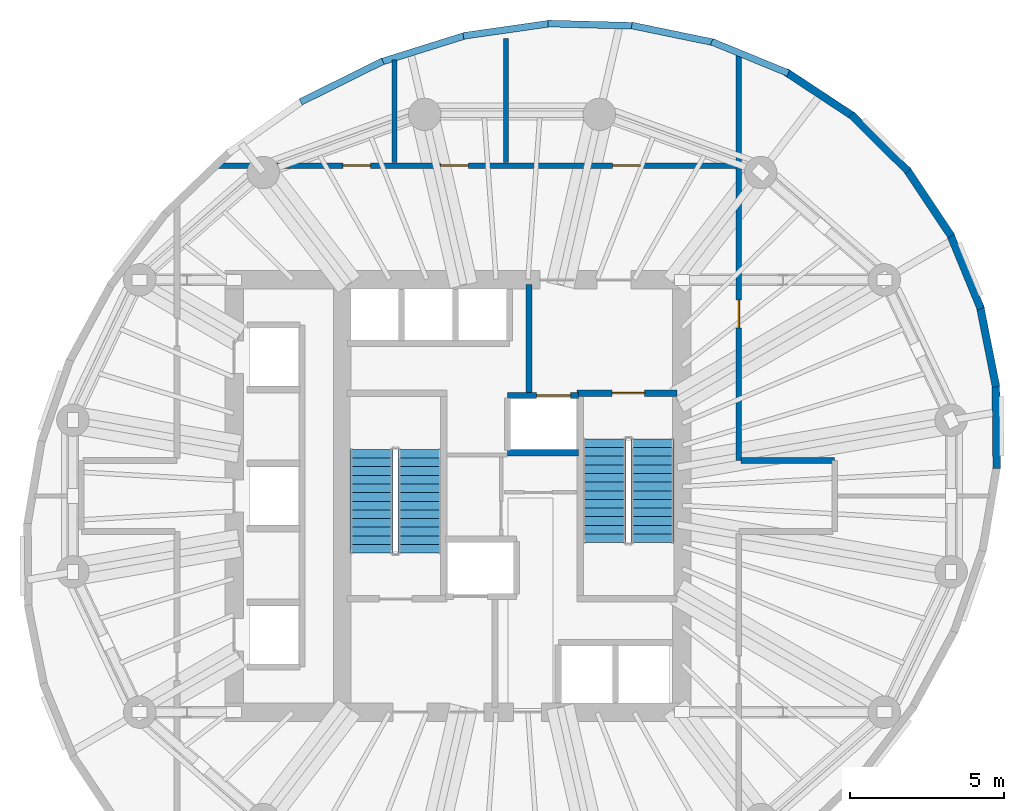
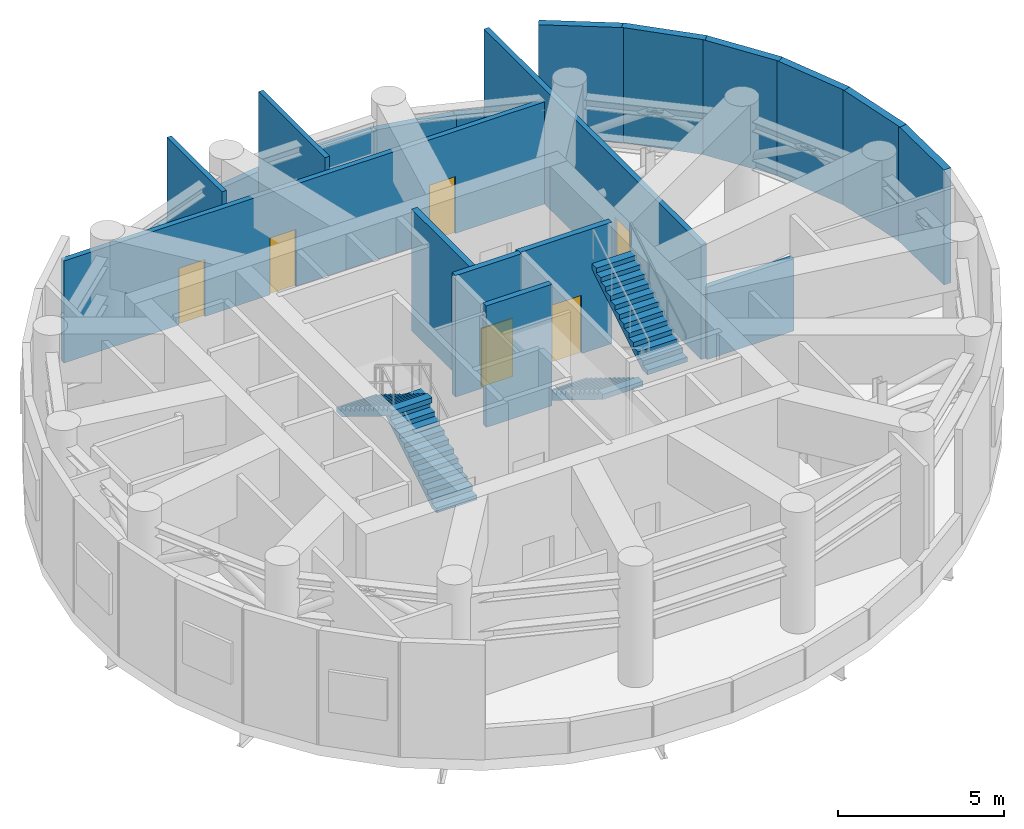
# One storey, part 6 of 8: 21 walls, 6 doors, 4 stair flights, 6 openings, 2 elements without a shape of their own.
"""IFC4 building model written with IfcOpenShell, lengths in metres."""

from ifc_helpers import new_model, si_unit, direction, frame, frame_2d, origin, place, context, subcontext, project, spatial, polyline, rectangle, outline, extrude, material, layer, layer_set, type_object, element, fill, aggregate, save


model = new_model("IFC4")

# Units and contexts
model_context = context("Model", 3, precision=1e-05, world=origin(), true_north=direction((0.0, 1.0)))
body_context = subcontext(model_context, "Body", "Model", "MODEL_VIEW")
ifc_project = project(units=[si_unit("LENGTHUNIT", "METRE"), si_unit("AREAUNIT", "SQUARE_METRE"), si_unit("VOLUMEUNIT", "CUBIC_METRE"), si_unit("PLANEANGLEUNIT", "RADIAN"), si_unit("MASSUNIT", "GRAM", prefix="KILO")], contexts=[model_context])

# Site, building, storey
site_placement = place(None, origin())
site = spatial("IfcSite", under=ifc_project, at=site_placement, CompositionType="ELEMENT")
building_placement = place(site_placement, origin())
building = spatial("IfcBuilding", under=site, at=building_placement, Name="Veldorim Arch Residences", CompositionType="ELEMENT")
storey_placement = place(building_placement, frame((0.0, 0.0, 158.56005859375)))
storey = spatial("IfcBuildingStorey", under=building, at=storey_placement, Name="L47", CompositionType="ELEMENT", Elevation=158.56005859375)

# Wall, openings, doors
ifc_material_1 = material(Name="Lightweight Masonry Block & Gypsum", Category="masonry")
ifc_layer_1 = layer(ifc_material_1, 0.179931640625, Name="Compartment & Corridor Fire-Rated Party Wall 180")
ifc_layer_set_1 = layer_set([ifc_layer_1], Name="Lightweight Masonry Block & Gypsum")
wall_type_1 = type_object("IfcWallType", Name="Compartment & Corridor Fire-Rated Party Wall 180", PredefinedType="PARTITIONING", material=ifc_layer_set_1)
wall_1_placement = place(storey_placement, frame((22.49951171875, 34.699951171875, 0.0), z_axis=(0.0, 0.0, 1.0), x_axis=(1.0, 0.0, 0.0)))
wall_1 = element("IfcWall", 1, at=wall_1_placement, inside=storey, type_object=wall_type_1, Name="L47 interior wall WL-PLT-L47-002", PredefinedType="PARTITIONING", context=body_context, shape_type="SweptSolid", body=[
    extrude(rectangle(XDim=16.8505859375, YDim=0.179931640625, at=frame_2d((8.42529296875, 0.0))), origin(), (0.0, 0.0, 1.0), 3.767822265625),
])
opening_1_placement = place(wall_1_placement, frame((12.75537109375, 0.0, 0.0)))
opening_1 = element("IfcOpeningElement", 2, at=opening_1_placement, cuts=wall_1, Name="Opening DR-INT", PredefinedType="OPENING", context=body_context, shape_type="SweptSolid", body=[
    extrude(rectangle(XDim=0.89990234375, YDim=2.10009765625, at=frame_2d((0.449951171875, 1.050048828125))), frame((0.0, 0.099853515625, 0.0), z_axis=(0.0, -1.0, 0.0), x_axis=(1.0, 0.0, 0.0)), (0.0, 0.0, 1.0), 0.199951171875),
])
opening_2_placement = place(wall_1_placement, frame((7.1904296875, 0.0, 0.0)))
opening_2 = element("IfcOpeningElement", 3, at=opening_2_placement, cuts=wall_1, Name="Opening DR-WC", PredefinedType="OPENING", context=body_context, shape_type="SweptSolid", body=[
    extrude(rectangle(XDim=0.89990234375, YDim=2.10009765625, at=frame_2d((0.449951171875, 1.050048828125))), frame((0.0, 0.099853515625, 0.0), z_axis=(0.0, -1.0, 0.0), x_axis=(1.0, 0.0, 0.0)), (0.0, 0.0, 1.0), 0.199951171875),
])
opening_3_placement = place(wall_1_placement, frame((4.020263671875, 0.0, 0.0)))
opening_3 = element("IfcOpeningElement", 4, at=opening_3_placement, cuts=wall_1, Name="Opening DR-SVC", PredefinedType="OPENING", context=body_context, shape_type="SweptSolid", body=[
    extrude(rectangle(XDim=0.89990234375, YDim=2.10009765625, at=frame_2d((0.449951171875, 1.050048828125))), frame((0.0, 0.099853515625, 0.0), z_axis=(0.0, -1.0, 0.0), x_axis=(1.0, 0.0, 0.0)), (0.0, 0.0, 1.0), 0.199951171875),
])
ifc_material_2 = material(Name="Engineered Timber", Category="wood")
door_type_1 = type_object("IfcDoorType", Name="Apartment Internal Room Timber Door 900x2100", OperationType="SINGLE_SWING_LEFT", PredefinedType="DOOR", material=ifc_material_2)
door_1_placement = place(opening_1_placement, origin())
door_1 = element("IfcDoor", 5, at=door_1_placement, inside=storey, type_object=door_type_1, Name="L47 interior door DR-PLT-L47-002", OperationType="SINGLE_SWING_RIGHT", OverallHeight=2.10009765625, OverallWidth=0.89990234375, PredefinedType="DOOR", context=body_context, shape_type="SweptSolid", body=[
    extrude(rectangle(XDim=0.89990234375, YDim=2.10009765625, at=frame_2d((0.449951171875, 1.050048828125))), frame((0.0, 0.02490234375, 0.0), z_axis=(0.0, -1.0, 0.0), x_axis=(1.0, 0.0, 0.0)), (0.0, 0.0, 1.0), 0.050048828125),
])
fill(opening_1, door_1)
ifc_material_3 = material(Name="Laminate Timber", Category="wood")
door_type_2 = type_object("IfcDoorType", Name="Bathroom & Accessible WC Moisture-Sealed Door 900x2100", OperationType="SINGLE_SWING_LEFT", PredefinedType="DOOR", material=ifc_material_3)
door_2_placement = place(opening_2_placement, origin())
door_2 = element("IfcDoor", 6, at=door_2_placement, inside=storey, type_object=door_type_2, Name="L47 interior door DR-PLT-L47-003", OperationType="SINGLE_SWING_LEFT", OverallHeight=2.10009765625, OverallWidth=0.89990234375, PredefinedType="DOOR", context=body_context, shape_type="SweptSolid", body=[
    extrude(rectangle(XDim=0.89990234375, YDim=2.10009765625, at=frame_2d((0.449951171875, 1.050048828125))), frame((0.0, 0.02490234375, 0.0), z_axis=(0.0, -1.0, 0.0), x_axis=(1.0, 0.0, 0.0)), (0.0, 0.0, 1.0), 0.050048828125),
])
fill(opening_2, door_2)
ifc_material_4 = material(Name="Fire-Rated Steel", Category="steel")
door_type_3 = type_object("IfcDoorType", Name="Riser, Shelter & Plant Room Rated Steel Door 900x2100", OperationType="SINGLE_SWING_LEFT", PredefinedType="DOOR", material=ifc_material_4)
door_3_placement = place(opening_3_placement, origin())
door_3 = element("IfcDoor", 7, at=door_3_placement, inside=storey, type_object=door_type_3, Name="L47 interior door DR-PLT-L47-004", OperationType="SINGLE_SWING_RIGHT", OverallHeight=2.10009765625, OverallWidth=0.89990234375, PredefinedType="DOOR", context=body_context, shape_type="SweptSolid", body=[
    extrude(rectangle(XDim=0.89990234375, YDim=2.10009765625, at=frame_2d((0.449951171875, 1.050048828125))), frame((0.0, 0.02490234375, 0.0), z_axis=(0.0, -1.0, 0.0), x_axis=(1.0, 0.0, 0.0)), (0.0, 0.0, 1.0), 0.050048828125),
])
fill(opening_3, door_3)

# Wall, opening, door
wall_2_placement = place(storey_placement, frame((39.35009765625, 38.27490234375, 0.0), z_axis=(0.0, 0.0, 1.0), x_axis=(0.0, -1.0, 0.0)))
wall_2 = element("IfcWall", 8, at=wall_2_placement, inside=storey, type_object=wall_type_1, Name="L47 interior wall WL-PLT-L47-011", PredefinedType="PARTITIONING", context=body_context, shape_type="SweptSolid", body=[
    extrude(rectangle(XDim=13.125, YDim=0.179931640625, at=frame_2d((6.5625, 0.0))), origin(), (0.0, 0.0, 1.0), 4.23486328125),
])
opening_4_placement = place(wall_2_placement, frame((7.929931640625, 0.0, 0.0)))
opening_4 = element("IfcOpeningElement", 9, at=opening_4_placement, cuts=wall_2, Name="Opening DR-SVC", PredefinedType="OPENING", context=body_context, shape_type="SweptSolid", body=[
    extrude(rectangle(XDim=0.89990234375, YDim=2.10009765625, at=frame_2d((0.449951171875, 1.050048828125))), frame((0.0, 0.099853515625, 0.0), z_axis=(0.0, -1.0, 0.0), x_axis=(1.0, 0.0, 0.0)), (0.0, 0.0, 1.0), 0.199951171875),
])
door_4_placement = place(opening_4_placement, origin())
door_4 = element("IfcDoor", 10, at=door_4_placement, inside=storey, type_object=door_type_3, Name="L47 interior door DR-PLT-L47-008", OperationType="SINGLE_SWING_RIGHT", OverallHeight=2.10009765625, OverallWidth=0.89990234375, PredefinedType="DOOR", context=body_context, shape_type="SweptSolid", body=[
    extrude(rectangle(XDim=0.89990234375, YDim=2.10009765625, at=frame_2d((0.449951171875, 1.050048828125))), frame((0.0, 0.02490234375, 0.0), z_axis=(0.0, -1.0, 0.0), x_axis=(1.0, 0.0, 0.0)), (0.0, 0.0, 1.0), 0.050048828125),
])
fill(opening_4, door_4)

# Wall
wall_3_placement = place(storey_placement, frame((39.409912109375, 25.14990234375, 0.0), z_axis=(0.0, 0.0, 1.0), x_axis=(1.0, 0.0, 0.0)))
element("IfcWall", 11, at=wall_3_placement, inside=storey, type_object=wall_type_1, Name="L47 interior wall WL-PLT-L47-012", PredefinedType="PARTITIONING", context=body_context, shape_type="SweptSolid", body=[
    extrude(rectangle(XDim=3.0400390625, YDim=0.179931640625, at=frame_2d((1.52001953125, 0.0))), origin(), (0.0, 0.0, 1.0), 2.66796875),
])

# Wall, opening, door
ifc_material_5 = material(Name="Concrete C50/60", Category="concrete")
ifc_layer_2 = layer(ifc_material_5, 0.199951171875, Name="Core Stair & Lift Shaft Enclosure Wall 200")
ifc_layer_set_2 = layer_set([ifc_layer_2], Name="Concrete C50/60")
wall_type_2 = type_object("IfcWallType", Name="Core Stair & Lift Shaft Enclosure Wall 200", PredefinedType="SHEAR", material=ifc_layer_set_2)
wall_4_placement = place(storey_placement, frame((34.110107421875, 27.330078125, 0.0), z_axis=(0.0, 0.0, 1.0), x_axis=(1.0, 0.0, 0.0)))
wall_4 = element("IfcWall", 12, at=wall_4_placement, inside=storey, type_object=wall_type_2, Name="L47 shaft wall WL-SHF-L47-ST2-N", PredefinedType="SHEAR", context=body_context, shape_type="SweptSolid", body=[
    extrude(rectangle(XDim=3.239990234375, YDim=0.199951171875, at=frame_2d((1.6201171875, 0.0))), origin(), (0.0, 0.0, 1.0), 4.47998046875),
])
opening_5_placement = place(wall_4_placement, frame((1.135009765625, 0.0, 0.0)))
opening_5 = element("IfcOpeningElement", 13, at=opening_5_placement, cuts=wall_4, Name="Opening DR-ST", PredefinedType="OPENING", context=body_context, shape_type="SweptSolid", body=[
    extrude(rectangle(XDim=1.050048828125, YDim=2.14990234375, at=frame_2d((0.52490234375, 1.074951171875))), frame((0.0, 0.10986328125, 0.0), z_axis=(0.0, -1.0, 0.0), x_axis=(1.0, 0.0, 0.0)), (0.0, 0.0, 1.0), 0.219970703125),
])
ifc_material_6 = material(Name="Fire-Rated Steel", Category="steel")
door_type_4 = type_object("IfcDoorType", Name="Exit Staircase Self-Closing Fire Door 1050x2150", OperationType="SINGLE_SWING_LEFT", PredefinedType="DOOR", material=ifc_material_6)
door_5_placement = place(opening_5_placement, origin())
door_5 = element("IfcDoor", 14, at=door_5_placement, inside=storey, type_object=door_type_4, Name="L47 interior door DR-L47-ST2", OperationType="SINGLE_SWING_RIGHT", OverallHeight=2.14990234375, OverallWidth=1.050048828125, PredefinedType="DOOR", context=body_context, shape_type="SweptSolid", body=[
    extrude(rectangle(XDim=1.050048828125, YDim=2.14990234375, at=frame_2d((0.52490234375, 1.074951171875))), frame((0.0, 0.02490234375, 0.0), z_axis=(0.0, -1.0, 0.0), x_axis=(1.0, 0.0, 0.0)), (0.0, 0.0, 1.0), 0.050048828125),
])
fill(opening_5, door_5)

# Wall
wall_5_placement = place(storey_placement, frame((32.550048828125, 27.35009765625, 0.0), z_axis=(0.0, 0.0, 1.0), x_axis=(0.0, 1.0, 0.0)))
element("IfcWall", 15, at=wall_5_placement, inside=storey, type_object=wall_type_2, Name="L47 shaft wall WL-FFL2-L47-W", PredefinedType="SHEAR", context=body_context, shape_type="SweptSolid", body=[
    extrude(rectangle(XDim=3.5, YDim=0.199951171875, at=frame_2d((1.75, 0.0))), origin(), (0.0, 0.0, 1.0), 4.47998046875),
])

# Wall, opening, door
wall_6_placement = place(storey_placement, frame((31.85009765625, 27.25, 0.0), z_axis=(0.0, 0.0, 1.0), x_axis=(1.0, 0.0, 0.0)))
wall_6 = element("IfcWall", 16, at=wall_6_placement, inside=storey, type_object=wall_type_2, Name="L47 shaft wall WL-FL02-L47-N", PredefinedType="SHEAR", context=body_context, shape_type="SweptSolid", body=[
    extrude(rectangle(XDim=2.2998046875, YDim=0.199951171875, at=frame_2d((1.14990234375, 0.0))), origin(), (0.0, 0.0, 1.0), 4.47998046875),
])
opening_6_placement = place(wall_6_placement, frame((0.949951171875, 0.0, 0.0)))
opening_6 = element("IfcOpeningElement", 17, at=opening_6_placement, cuts=wall_6, Name="Opening LD-FF", PredefinedType="OPENING", context=body_context, shape_type="SweptSolid", body=[
    extrude(rectangle(XDim=1.10009765625, YDim=2.14990234375, at=frame_2d((0.550048828125, 1.074951171875))), frame((0.0, 0.10986328125, 0.0), z_axis=(0.0, -1.0, 0.0), x_axis=(1.0, 0.0, 0.0)), (0.0, 0.0, 1.0), 0.219970703125),
])
ifc_material_7 = material(Name="Stainless Steel", Category="steel")
door_type_5 = type_object("IfcDoorType", Name="Firefighting Lift Bi-Parting Sliding Landing Door 1100x2150", OperationType="DOUBLE_DOOR_SLIDING", PredefinedType="DOOR", material=ifc_material_7)
door_6_placement = place(opening_6_placement, origin())
door_6 = element("IfcDoor", 18, at=door_6_placement, inside=storey, type_object=door_type_5, Name="L47 lift landing door LD-L47-FL02", OperationType="DOUBLE_DOOR_SLIDING", OverallHeight=2.14990234375, OverallWidth=1.10009765625, PredefinedType="DOOR", context=body_context, shape_type="SweptSolid", body=[
    extrude(rectangle(XDim=1.10009765625, YDim=2.14990234375, at=frame_2d((0.550048828125, 1.074951171875))), frame((0.0, 0.02490234375, 0.0), z_axis=(0.0, -1.0, 0.0), x_axis=(1.0, 0.0, 0.0)), (0.0, 0.0, 1.0), 0.050048828125),
])
fill(opening_6, door_6)

# Walls
wall_7_placement = place(storey_placement, frame((31.85009765625, 25.39990234375, 0.0), z_axis=(0.0, 0.0, 1.0), x_axis=(1.0, 0.0, 0.0)))
element("IfcWall", 19, at=wall_7_placement, inside=storey, type_object=wall_type_2, Name="L47 shaft wall WL-FL02-L47-S", PredefinedType="SHEAR", context=body_context, shape_type="SweptSolid", body=[
    extrude(rectangle(XDim=2.2998046875, YDim=0.199951171875, at=frame_2d((1.14990234375, 0.0))), origin(), (0.0, 0.0, 1.0), 4.47998046875),
])
ifc_material_8 = material(Name="Precast concrete C40/50", Category="concrete")
ifc_layer_3 = layer(ifc_material_8, 0.219970703125, Name="Terrace & Refuge Perimeter Parapet Wall 220")
ifc_layer_set_3 = layer_set([ifc_layer_3], Name="Precast concrete C40/50")
wall_type_3 = type_object("IfcWallType", Name="Terrace & Refuge Perimeter Parapet Wall 220", PredefinedType="PARAPET", material=ifc_layer_set_3)
wall_8_placement = place(storey_placement, frame((38.46826171875, 38.71240234375, 0.0), z_axis=(0.0, 0.0, 1.0), x_axis=(0.925126004984, -0.379660209797, 0.0)))
element("IfcWall", 20, at=wall_8_placement, inside=storey, type_object=wall_type_3, Name="L47 fire refuge safety parapet 02", PredefinedType="PARAPET", context=body_context, shape_type="SweptSolid", body=[
    extrude(rectangle(XDim=2.682861328125, YDim=0.219970703125, at=frame_2d((1.34130859375, 0.0))), origin(), (0.0, 0.0, 1.0), 1.14990234375),
])
wall_9_placement = place(storey_placement, frame((35.878662109375, 39.238037109375, 0.0), z_axis=(0.0, 0.0, 1.0), x_axis=(0.979324939828, -0.202293505163, 0.0)))
element("IfcWall", 21, at=wall_9_placement, inside=storey, type_object=wall_type_3, Name="L47 fire refuge safety parapet 03", PredefinedType="PARAPET", context=body_context, shape_type="SweptSolid", body=[
    extrude(rectangle(XDim=2.741943359375, YDim=0.219970703125, at=frame_2d((1.37109375, 0.0))), origin(), (0.0, 0.0, 1.0), 1.14990234375),
])
wall_10_placement = place(storey_placement, frame((33.17041015625, 39.301513671875, 0.0), z_axis=(0.0, 0.0, 1.0), x_axis=(0.999645930397, -0.026608529463, 0.0)))
element("IfcWall", 22, at=wall_10_placement, inside=storey, type_object=wall_type_3, Name="L47 fire refuge safety parapet 04", PredefinedType="PARAPET", context=body_context, shape_type="SweptSolid", body=[
    extrude(rectangle(XDim=2.8076171875, YDim=0.219970703125, at=frame_2d((1.40380859375, 0.0))), origin(), (0.0, 0.0, 1.0), 1.14990234375),
])
wall_11_placement = place(storey_placement, frame((30.42578125, 38.900146484375, 0.0), z_axis=(0.0, 0.0, 1.0), x_axis=(0.989906941775, 0.141718900029, 0.0)))
element("IfcWall", 23, at=wall_11_placement, inside=storey, type_object=wall_type_3, Name="L47 fire refuge safety parapet 05", PredefinedType="PARAPET", context=body_context, shape_type="SweptSolid", body=[
    extrude(rectangle(XDim=2.871826171875, YDim=0.219970703125, at=frame_2d((1.43603515625, 0.0))), origin(), (0.0, 0.0, 1.0), 1.14990234375),
])
wall_12_placement = place(storey_placement, frame((27.72802734375, 38.0458984375, 0.0), z_axis=(0.0, 0.0, 1.0), x_axis=(0.95419458776, 0.299186712089, 0.0)))
element("IfcWall", 24, at=wall_12_placement, inside=storey, type_object=wall_type_3, Name="L47 fire refuge safety parapet 06", PredefinedType="PARAPET", context=body_context, shape_type="SweptSolid", body=[
    extrude(rectangle(XDim=2.927001953125, YDim=0.219970703125, at=frame_2d((1.46337890625, 0.0))), origin(), (0.0, 0.0, 1.0), 1.14990234375),
])
wall_13_placement = place(storey_placement, frame((25.15966796875, 36.764404296875, 0.0), z_axis=(0.0, 0.0, 1.0), x_axis=(0.895985112276, 0.444084089536, 0.0)))
element("IfcWall", 25, at=wall_13_placement, inside=storey, type_object=wall_type_3, Name="L47 fire refuge safety parapet 07", PredefinedType="PARAPET", context=body_context, shape_type="SweptSolid", body=[
    extrude(rectangle(XDim=2.967041015625, YDim=0.219970703125, at=frame_2d((1.4833984375, 0.0))), origin(), (0.0, 0.0, 1.0), 1.14990234375),
])
ifc_material_9 = material(Name="Precast concrete C40/50", Category="concrete")
ifc_layer_4 = layer(ifc_material_9, 0.25, Name="Tower Terracotta Spandrel & Pier Wall 250")
ifc_layer_set_4 = layer_set([ifc_layer_4], Name="Precast concrete C40/50")
wall_type_4 = type_object("IfcWallType", Name="Tower Terracotta Spandrel & Pier Wall 250", PredefinedType="SOLIDWALL", material=ifc_layer_set_4)
wall_14_placement = place(storey_placement, frame((42.985107421875, 36.352783203125, 0.0), z_axis=(0.0, 0.0, 1.0), x_axis=(0.709903110451, -0.704299349547, 0.0)))
element("IfcWall", 26, at=wall_14_placement, inside=storey, type_object=wall_type_4, Name="L47 outrigger plant enclosure wall 00", PredefinedType="SOLIDWALL", context=body_context, shape_type="SweptSolid", body=[
    extrude(rectangle(XDim=2.614013671875, YDim=0.25, at=frame_2d((1.30712890625, 0.0))), origin(), (0.0, 0.0, 1.0), 4.239990234375),
])
wall_15_placement = place(storey_placement, frame((40.861083984375, 37.740966796875, 0.0), z_axis=(0.0, 0.0, 1.0), x_axis=(0.834886685629, -0.55042185836, 0.0)))
element("IfcWall", 27, at=wall_15_placement, inside=storey, type_object=wall_type_4, Name="L47 outrigger plant enclosure wall 01", PredefinedType="SOLIDWALL", context=body_context, shape_type="SweptSolid", body=[
    extrude(rectangle(XDim=2.63818359375, YDim=0.25, at=frame_2d((1.319091796875, 0.0))), origin(), (0.0, 0.0, 1.0), 4.239990234375),
])
wall_16_placement = place(storey_placement, frame((47.66845703125, 27.630615234375, 0.0), z_axis=(0.0, 0.0, 1.0), x_axis=(0.011130209899, -0.999938057295, 0.0)))
element("IfcWall", 28, at=wall_16_placement, inside=storey, type_object=wall_type_4, Name="L47 outrigger plant enclosure wall 32", PredefinedType="SOLIDWALL", context=body_context, shape_type="SweptSolid", body=[
    extrude(rectangle(XDim=2.741943359375, YDim=0.25, at=frame_2d((1.37109375, 0.0))), origin(), (0.0, 0.0, 1.0), 4.239990234375),
])
wall_17_placement = place(storey_placement, frame((47.154296875, 30.162353515625, 0.0), z_axis=(0.0, 0.0, 1.0), x_axis=(0.195468590426, -0.980709962301, 0.0)))
element("IfcWall", 29, at=wall_17_placement, inside=storey, type_object=wall_type_4, Name="L47 outrigger plant enclosure wall 33", PredefinedType="SOLIDWALL", context=body_context, shape_type="SweptSolid", body=[
    extrude(rectangle(XDim=2.682861328125, YDim=0.25, at=frame_2d((1.34130859375, 0.0))), origin(), (0.0, 0.0, 1.0), 4.239990234375),
])
wall_18_placement = place(storey_placement, frame((46.18017578125, 32.505859375, 0.0), z_axis=(0.0, 0.0, 1.0), x_axis=(0.380340181735, -0.924846660889, 0.0)))
element("IfcWall", 30, at=wall_18_placement, inside=storey, type_object=wall_type_4, Name="L47 outrigger plant enclosure wall 34", PredefinedType="SOLIDWALL", context=body_context, shape_type="SweptSolid", body=[
    extrude(rectangle(XDim=2.63818359375, YDim=0.25, at=frame_2d((1.319091796875, 0.0))), origin(), (0.0, 0.0, 1.0), 4.239990234375),
])
wall_19_placement = place(storey_placement, frame((44.776123046875, 34.590087890625, 0.0), z_axis=(0.0, 0.0, 1.0), x_axis=(0.555346632741, -0.831618973751, 0.0)))
element("IfcWall", 31, at=wall_19_placement, inside=storey, type_object=wall_type_4, Name="L47 outrigger plant enclosure wall 35", PredefinedType="SOLIDWALL", context=body_context, shape_type="SweptSolid", body=[
    extrude(rectangle(XDim=2.614013671875, YDim=0.25, at=frame_2d((1.30712890625, 0.0))), origin(), (0.0, 0.0, 1.0), 4.239990234375),
])
ifc_material_10 = material(Name="Moisture-Resistant Gypsum & Stud", Category="gypsum")
ifc_layer_5 = layer(ifc_material_10, 0.159912109375, Name="Wet-Area Moisture-Resistant Plumbing Wall 160")
ifc_layer_set_5 = layer_set([ifc_layer_5], Name="Moisture-Resistant Gypsum & Stud")
wall_type_5 = type_object("IfcWallType", Name="Wet-Area Moisture-Resistant Plumbing Wall 160", PredefinedType="PLUMBINGWALL", material=ifc_layer_set_5)
wall_20_placement = place(storey_placement, frame((31.800048828125, 34.800048828125, 0.0), z_axis=(0.0, 0.0, 1.0), x_axis=(0.0, 1.0, 0.0)))
element("IfcWall", 32, at=wall_20_placement, inside=storey, type_object=wall_type_5, Name="L47 interior wall WL-PLT-L47-013", PredefinedType="PLUMBINGWALL", context=body_context, shape_type="SweptSolid", body=[
    extrude(rectangle(XDim=4.02001953125, YDim=0.159912109375, at=frame_2d((2.010009765625, 0.0))), origin(), (0.0, 0.0, 1.0), 4.23486328125),
])
wall_21_placement = place(storey_placement, frame((28.199951171875, 34.800048828125, 0.0), z_axis=(0.0, 0.0, 1.0), x_axis=(0.0, 1.0, 0.0)))
element("IfcWall", 33, at=wall_21_placement, inside=storey, type_object=wall_type_5, Name="L47 interior wall WL-PLT-L47-014", PredefinedType="PLUMBINGWALL", context=body_context, shape_type="SweptSolid", body=[
    extrude(rectangle(XDim=3.320556640625, YDim=0.159912109375, at=frame_2d((1.66015625, 0.0))), origin(), (0.0, 0.0, 1.0), 4.23486328125),
])

# Stair, stair flights
ifc_material_11 = material(Name="Concrete C40/50", Category="concrete")
stair_type = type_object("IfcStairType", Name="Reinforced Concrete Dogleg Exit Staircase", PredefinedType="HALF_TURN_STAIR", material=ifc_material_11)
stair_1_placement = place(storey_placement, origin())
stair_1 = element("IfcStair", 34, at=stair_1_placement, inside=storey, type_object=stair_type, Name="L47 Exit Staircase ST-1", PredefinedType="HALF_TURN_STAIR")
ifc_material_12 = material(Name="Concrete C40/50", Category="concrete")
stair_flight_type = type_object("IfcStairFlightType", Name="Reinforced Concrete Stair Flight 1400", PredefinedType="STRAIGHT", material=ifc_material_12)
stair_flight_1_placement = place(storey_placement, frame((29.010009765625, 22.14990234375, 0.0), z_axis=(0.0, 0.0, 1.0), x_axis=(0.0, 1.0, 0.0)))
stair_flight_1 = element("IfcStairFlight", 35, at=stair_flight_1_placement, type_object=stair_flight_type, Name="ST-1 flight 1", NumberOfRisers=13, NumberOfTreads=12, PredefinedType="STRAIGHT", RiserHeight=0.172307692, TreadLength=0.28, context=body_context, shape_type="SweptSolid", body=[
    extrude(outline(polyline([(0.0, 0.0), (0.0, 0.17236328125), (0.280029296875, 0.17236328125), (0.280029296875, 0.3447265625), (0.56005859375, 0.3447265625), (0.56005859375, 0.516845703125), (0.840087890625, 0.516845703125), (0.840087890625, 0.689208984375), (1.1201171875, 0.689208984375), (1.1201171875, 0.861572265625), (1.39990234375, 0.861572265625), (1.39990234375, 1.033935546875), (1.679931640625, 1.033935546875), (1.679931640625, 1.2060546875), (1.9599609375, 1.2060546875), (1.9599609375, 1.37841796875), (2.239990234375, 1.37841796875), (2.239990234375, 1.55078125), (2.52001953125, 1.55078125), (2.52001953125, 1.72314453125), (2.800048828125, 1.72314453125), (2.800048828125, 1.895263671875), (3.080078125, 1.895263671875), (3.080078125, 2.067626953125), (3.360107421875, 2.067626953125), (3.360107421875, 2.239990234375), (3.360107421875, 1.8798828125), (0.30517578125, 0.0), (0.0, 0.0)])), frame((0.0, 0.699951171875, 0.0), z_axis=(0.0, -1.0, 0.0), x_axis=(1.0, 0.0, 0.0)), (0.0, 0.0, 1.0), 1.39990234375),
])
stair_flight_2_placement = place(storey_placement, frame((27.449951171875, 25.510009765625, 2.239990234375), z_axis=(0.0, 0.0, 1.0), x_axis=(0.0, -1.0, 0.0)))
stair_flight_2 = element("IfcStairFlight", 36, at=stair_flight_2_placement, type_object=stair_flight_type, Name="ST-1 flight 2", NumberOfRisers=13, NumberOfTreads=12, PredefinedType="STRAIGHT", RiserHeight=0.172307692, TreadLength=0.28, context=body_context, shape_type="SweptSolid", body=[
    extrude(outline(polyline([(0.0, 0.0), (0.0, 0.17236328125), (0.280029296875, 0.17236328125), (0.280029296875, 0.3447265625), (0.56005859375, 0.3447265625), (0.56005859375, 0.516845703125), (0.840087890625, 0.516845703125), (0.840087890625, 0.689208984375), (1.1201171875, 0.689208984375), (1.1201171875, 0.861572265625), (1.39990234375, 0.861572265625), (1.39990234375, 1.033935546875), (1.679931640625, 1.033935546875), (1.679931640625, 1.2060546875), (1.9599609375, 1.2060546875), (1.9599609375, 1.37841796875), (2.239990234375, 1.37841796875), (2.239990234375, 1.55078125), (2.52001953125, 1.55078125), (2.52001953125, 1.72314453125), (2.800048828125, 1.72314453125), (2.800048828125, 1.895263671875), (3.080078125, 1.895263671875), (3.080078125, 2.067626953125), (3.360107421875, 2.067626953125), (3.360107421875, 2.239990234375), (3.360107421875, 1.8798828125), (0.30517578125, 0.0), (0.0, 0.0)])), frame((0.0, 0.699951171875, 0.0), z_axis=(0.0, -1.0, 0.0), x_axis=(1.0, 0.0, 0.0)), (0.0, 0.0, 1.0), 1.39990234375),
])
aggregate(stair_1, [stair_flight_1, stair_flight_2])

stair_2_placement = place(storey_placement, origin())
stair_2 = element("IfcStair", 37, at=stair_2_placement, inside=storey, type_object=stair_type, Name="L47 Exit Staircase ST-2", PredefinedType="HALF_TURN_STAIR")
stair_flight_3_placement = place(storey_placement, frame((34.989990234375, 25.85009765625, 0.0), z_axis=(0.0, 0.0, 1.0), x_axis=(0.0, -1.0, 0.0)))
stair_flight_3 = element("IfcStairFlight", 38, at=stair_flight_3_placement, type_object=stair_flight_type, Name="ST-2 flight 1", NumberOfRisers=13, NumberOfTreads=12, PredefinedType="STRAIGHT", RiserHeight=0.172307692, TreadLength=0.28, context=body_context, shape_type="SweptSolid", body=[
    extrude(outline(polyline([(0.0, 0.0), (0.0, 0.17236328125), (0.280029296875, 0.17236328125), (0.280029296875, 0.3447265625), (0.56005859375, 0.3447265625), (0.56005859375, 0.516845703125), (0.840087890625, 0.516845703125), (0.840087890625, 0.689208984375), (1.1201171875, 0.689208984375), (1.1201171875, 0.861572265625), (1.39990234375, 0.861572265625), (1.39990234375, 1.033935546875), (1.679931640625, 1.033935546875), (1.679931640625, 1.2060546875), (1.9599609375, 1.2060546875), (1.9599609375, 1.37841796875), (2.239990234375, 1.37841796875), (2.239990234375, 1.55078125), (2.52001953125, 1.55078125), (2.52001953125, 1.72314453125), (2.800048828125, 1.72314453125), (2.800048828125, 1.895263671875), (3.080078125, 1.895263671875), (3.080078125, 2.067626953125), (3.360107421875, 2.067626953125), (3.360107421875, 2.239990234375), (3.360107421875, 1.8798828125), (0.30517578125, 0.0), (0.0, 0.0)])), frame((0.0, 0.699951171875, 0.0), z_axis=(0.0, -1.0, 0.0), x_axis=(1.0, 0.0, 0.0)), (0.0, 0.0, 1.0), 1.39990234375),
])
stair_flight_4_placement = place(storey_placement, frame((36.550048828125, 22.489990234375, 2.239990234375), z_axis=(0.0, 0.0, 1.0), x_axis=(0.0, 1.0, 0.0)))
stair_flight_4 = element("IfcStairFlight", 39, at=stair_flight_4_placement, type_object=stair_flight_type, Name="ST-2 flight 2", NumberOfRisers=13, NumberOfTreads=12, PredefinedType="STRAIGHT", RiserHeight=0.172307692, TreadLength=0.28, context=body_context, shape_type="SweptSolid", body=[
    extrude(outline(polyline([(0.0, 0.0), (0.0, 0.17236328125), (0.280029296875, 0.17236328125), (0.280029296875, 0.3447265625), (0.56005859375, 0.3447265625), (0.56005859375, 0.516845703125), (0.840087890625, 0.516845703125), (0.840087890625, 0.689208984375), (1.1201171875, 0.689208984375), (1.1201171875, 0.861572265625), (1.39990234375, 0.861572265625), (1.39990234375, 1.033935546875), (1.679931640625, 1.033935546875), (1.679931640625, 1.2060546875), (1.9599609375, 1.2060546875), (1.9599609375, 1.37841796875), (2.239990234375, 1.37841796875), (2.239990234375, 1.55078125), (2.52001953125, 1.55078125), (2.52001953125, 1.72314453125), (2.800048828125, 1.72314453125), (2.800048828125, 1.895263671875), (3.080078125, 1.895263671875), (3.080078125, 2.067626953125), (3.360107421875, 2.067626953125), (3.360107421875, 2.239990234375), (3.360107421875, 1.8798828125), (0.30517578125, 0.0), (0.0, 0.0)])), frame((0.0, 0.699951171875, 0.0), z_axis=(0.0, -1.0, 0.0), x_axis=(1.0, 0.0, 0.0)), (0.0, 0.0, 1.0), 1.39990234375),
])
aggregate(stair_2, [stair_flight_3, stair_flight_4])

save(model, "model.ifc")
